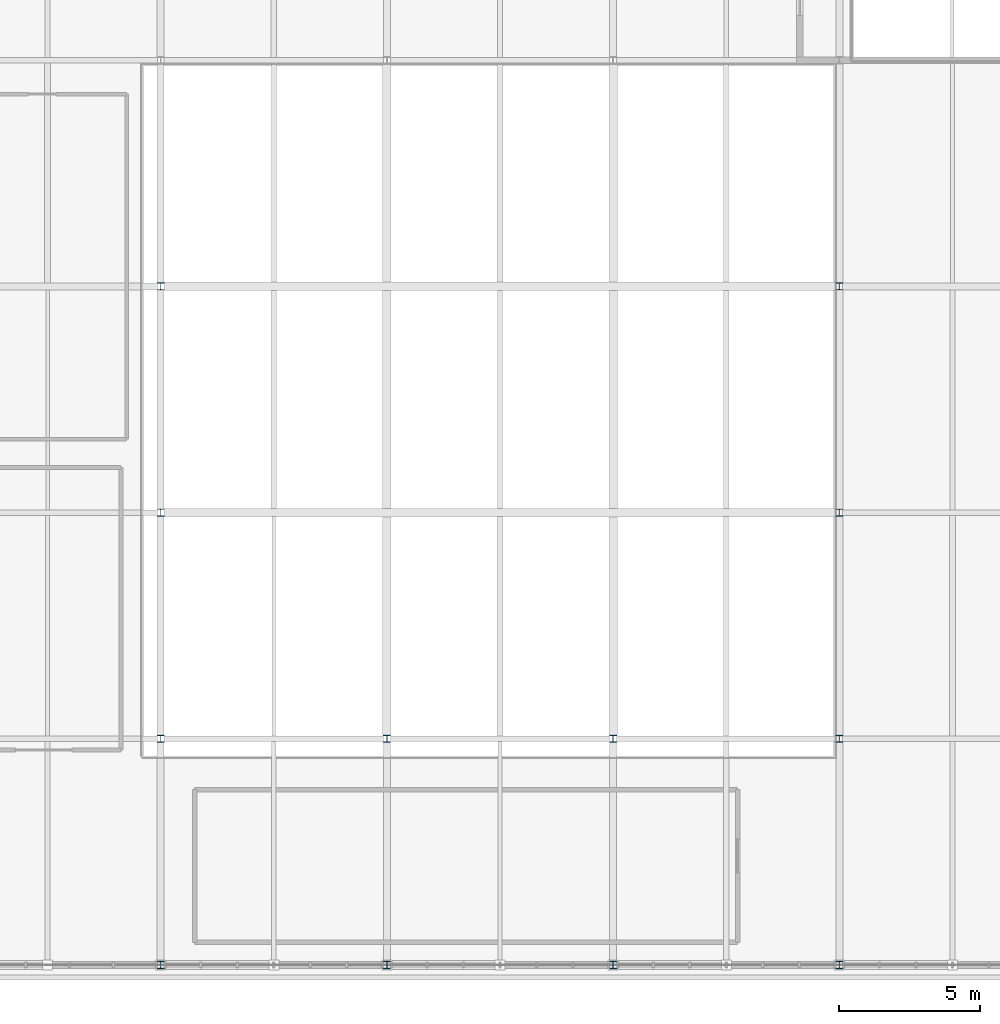
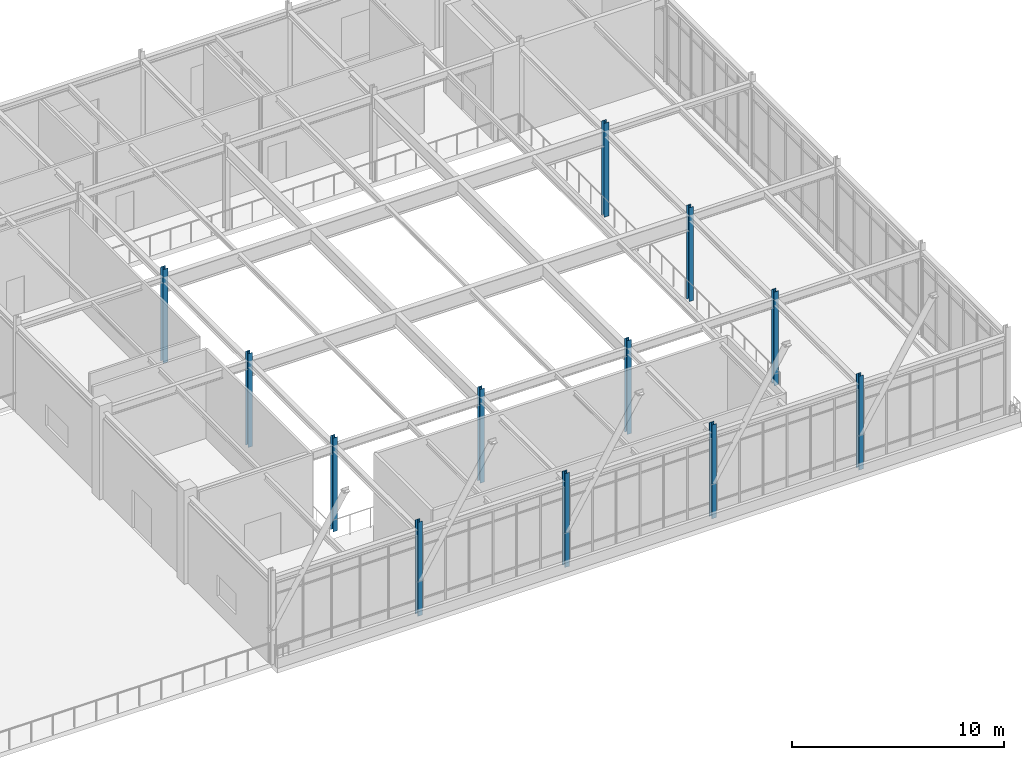
# One storey, part 17 of 108: 12 columns.
"""IFC4 building model written with IfcOpenShell, lengths in metres."""

from ifc_helpers import new_model, si_unit, direction, frame, origin, origin_2d, place, context, subcontext, project, spatial, i_section, extrude, material, material_profile, profile_set, type_object, element, save


model = new_model("IFC4")

# Units and contexts
model_context = context("Model", 3, precision=1e-05, world=origin(), true_north=direction((0.0, 1.0)))
body_context = subcontext(model_context, "Body", "Model", "MODEL_VIEW")
ifc_project = project(units=[si_unit("LENGTHUNIT", "METRE"), si_unit("AREAUNIT", "SQUARE_METRE"), si_unit("VOLUMEUNIT", "CUBIC_METRE"), si_unit("PLANEANGLEUNIT", "RADIAN"), si_unit("MASSUNIT", "GRAM", prefix="KILO")], contexts=[model_context])

# Site, building, storey
site_placement = place(None, origin())
site = spatial("IfcSite", under=ifc_project, at=site_placement, CompositionType="ELEMENT")
building_placement = place(site_placement, origin())
building = spatial("IfcBuilding", under=site, at=building_placement, Name="Zhaolan Boulevard Law Courts", CompositionType="ELEMENT")
storey_placement = place(building_placement, frame((0.0, 0.0, 10.800048828125)))
storey = spatial("IfcBuildingStorey", under=building, at=storey_placement, Name="L02", CompositionType="ELEMENT", Elevation=10.800048828125)

# Columns
ifc_material = material(Name="Structural steel Q355B", Category="steel")
ifc_material_profile = material_profile(ifc_material, i_section(OverallWidth=0.25, OverallDepth=0.25, WebThickness=0.009033203125, FlangeThickness=0.013916015625, FilletRadius=0.01611328125, at=origin_2d()), Name="HW250x250")
ifc_profile_set = profile_set([ifc_material_profile], Name="Structural steel Q355B")
column_type = type_object("IfcColumnType", Name="COL HW250", PredefinedType="COLUMN", material=ifc_profile_set)
for number, where, z_axis, x_axis, name in (
    (1, (132.0, 6.0, 0.0), (0.0, 0.0, 1.0), (1.0, 0.0, 0.0), "Column C-17B (L02)"),
    (2, (132.0, 14.0, 0.0), (0.0, 0.0, 1.0), (1.0, 0.0, 0.0), "Column C-17C (L02)"),
    (3, (132.0, 22.0, 0.0), (0.0, 0.0, 1.0), (1.0, 0.0, 0.0), "Column C-17D (L02)"),
    (4, (132.0, 30.0, 0.0), (0.0, 0.0, 1.0), (1.0, 0.0, 0.0), "Column C-17E (L02)"),
    (5, (140.0, 6.0, 0.0), (0.0, 0.0, 1.0), (1.0, 0.0, 0.0), "Column C-18B (L02)"),
    (6, (140.0, 14.0, 0.0), (0.0, 0.0, 1.0), (1.0, 0.0, 0.0), "Column C-18C (L02)"),
    (7, (148.0, 6.0, 0.0), (0.0, 0.0, 1.0), (1.0, 0.0, 0.0), "Column C-19B (L02)"),
    (8, (148.0, 14.0, 0.0), (0.0, 0.0, 1.0), (1.0, 0.0, 0.0), "Column C-19C (L02)"),
    (9, (156.0, 6.0, 0.0), (0.0, 0.0, 1.0), (1.0, 0.0, 0.0), "Column C-20B (L02)"),
    (10, (156.0, 14.0, 0.0), (0.0, 0.0, 1.0), (1.0, 0.0, 0.0), "Column C-20C (L02)"),
    (11, (156.0, 22.0, 0.0), (0.0, 0.0, 1.0), (1.0, 0.0, 0.0), "Column C-20D (L02)"),
    (12, (156.0, 30.0, 0.0), (0.0, 0.0, 1.0), (1.0, 0.0, 0.0), "Column C-20E (L02)"),
):
    element("IfcColumn", number, at=place(storey_placement, frame(where, z_axis=z_axis, x_axis=x_axis)), inside=storey, type_object=column_type, Name=name, PredefinedType="COLUMN", context=body_context, shape_type="SweptSolid", body=[
        extrude(i_section(OverallWidth=0.25, OverallDepth=0.25, WebThickness=0.009033203125, FlangeThickness=0.013916015625, FilletRadius=0.01611328125, at=origin_2d()), origin(), (0.0, 0.0, 1.0), 5.39990234375),
    ])

save(model, "model.ifc")
